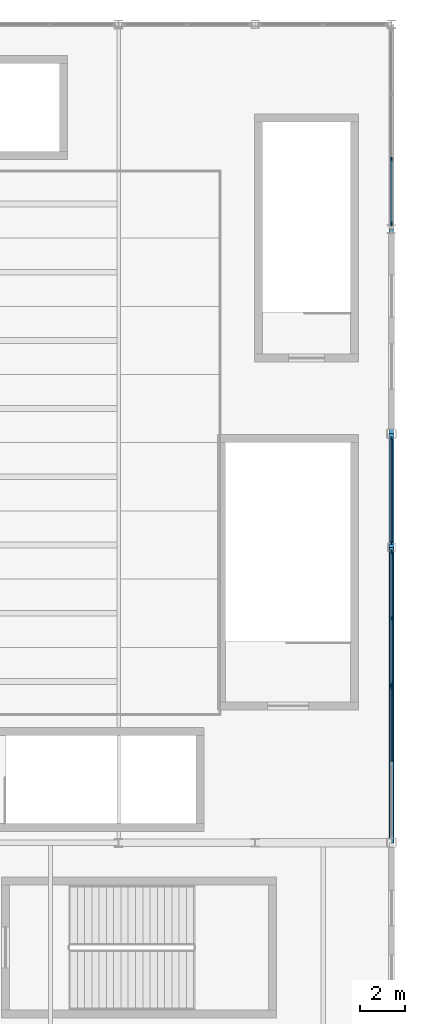
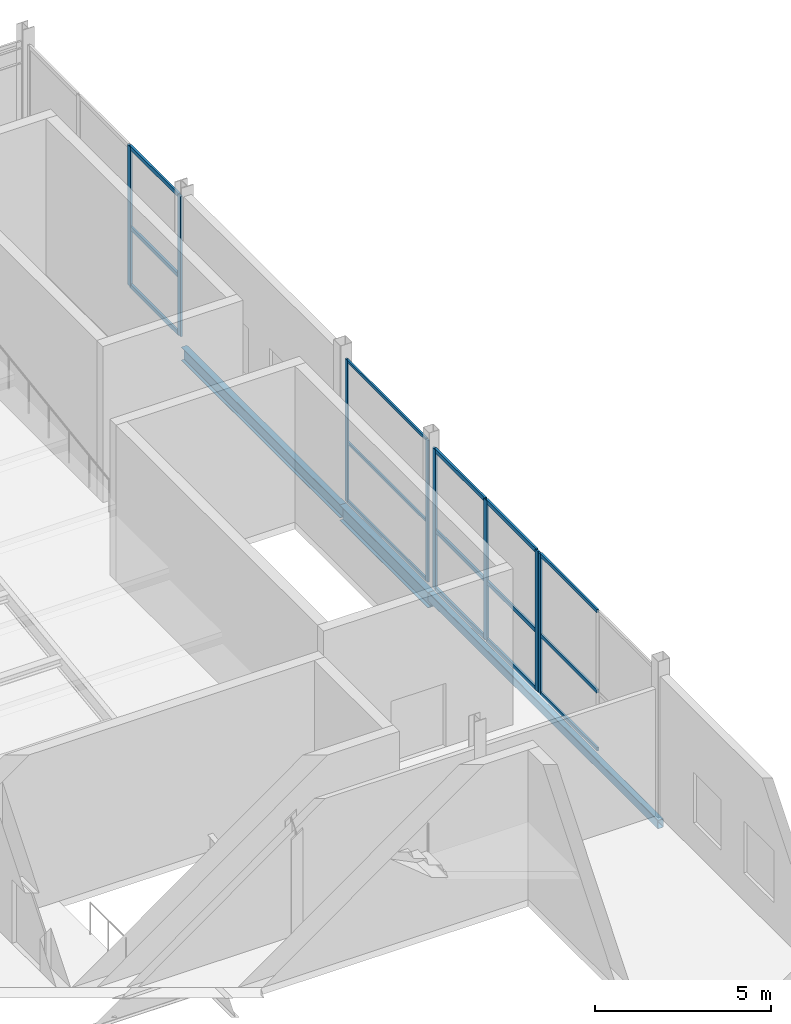
# One storey, part 65 of 119: 23 members, 3 beams, 4 elements without a shape of their own.
"""IFC4 building model written with IfcOpenShell, lengths in metres."""

from ifc_helpers import new_model, si_unit, direction, frame, origin, origin_2d, place, context, subcontext, project, spatial, rectangle, hollow_rectangle, i_section, extrude, material, layer, layer_set, material_profile, profile_set, type_object, element, aggregate, save


model = new_model("IFC4")

# Units and contexts
model_context = context("Model", 3, precision=1e-05, world=origin(), true_north=direction((0.0, 1.0)))
body_context = subcontext(model_context, "Body", "Model", "MODEL_VIEW")
ifc_project = project(units=[si_unit("LENGTHUNIT", "METRE"), si_unit("AREAUNIT", "SQUARE_METRE"), si_unit("VOLUMEUNIT", "CUBIC_METRE"), si_unit("PLANEANGLEUNIT", "RADIAN"), si_unit("MASSUNIT", "GRAM", prefix="KILO")], contexts=[model_context])

# Site, building, storey
site_placement = place(None, origin())
site = spatial("IfcSite", under=ifc_project, at=site_placement, CompositionType="ELEMENT")
building_placement = place(site_placement, origin())
building = spatial("IfcBuilding", under=site, at=building_placement, Name="Qamarlyn Nura Convention Centre", CompositionType="ELEMENT")
storey_placement = place(building_placement, frame((0.0, 0.0, 5.39990234375)))
storey = spatial("IfcBuildingStorey", under=building, at=storey_placement, Name="L01", CompositionType="ELEMENT", Elevation=5.39990234375)

# Beams
ifc_material_1 = material(Name="Steel ASTM A992", Category="steel")
ifc_material_profile_1 = material_profile(ifc_material_1, i_section(OverallWidth=0.193115234375, OverallDepth=0.466064453125, WebThickness=0.011474609375, FlangeThickness=0.01904296875, FilletRadius=0.012939453125, at=origin_2d()), Name="W460X97")
ifc_profile_set_1 = profile_set([ifc_material_profile_1], Name="Steel ASTM A992")
beam_type_1 = type_object("IfcBeamType", Name="BM-SPAN-460", PredefinedType="SPANDREL", material=ifc_profile_set_1)
beam_1_placement = place(storey_placement, frame((192.0, 108.0, -0.472900390625), z_axis=(0.0, 1.0, 0.0), x_axis=(-1.0, 0.0, 0.0)))
element("IfcBeam", 1, at=beam_1_placement, inside=storey, type_object=beam_type_1, Name="L01 girder 18 N-P", PredefinedType="SPANDREL", context=body_context, shape_type="SweptSolid", body=[
    extrude(i_section(OverallWidth=0.193115234375, OverallDepth=0.466064453125, WebThickness=0.011474609375, FlangeThickness=0.01904296875, FilletRadius=0.012939453125, at=origin_2d()), origin(), (0.0, 0.0, 1.0), 9.0),
])
ifc_material_profile_2 = material_profile(ifc_material_1, i_section(OverallWidth=0.2109375, OverallDepth=0.5390625, WebThickness=0.01171875, FlangeThickness=0.018798828125, FilletRadius=0.013916015625, at=origin_2d()), Name="W530X109")
ifc_profile_set_2 = profile_set([ifc_material_profile_2], Name="Steel ASTM A992")
beam_type_2 = type_object("IfcBeamType", Name="BM-SPAN-530", PredefinedType="SPANDREL", material=ifc_profile_set_2)
beam_2_placement = place(storey_placement, frame((192.0, 103.0, -0.509521484375), z_axis=(0.0, 1.0, 0.0), x_axis=(-1.0, 0.0, 0.0)))
element("IfcBeam", 2, at=beam_2_placement, inside=storey, type_object=beam_type_2, Name="L01 girder 18 M-N", PredefinedType="SPANDREL", context=body_context, shape_type="SweptSolid", body=[
    extrude(i_section(OverallWidth=0.2109375, OverallDepth=0.5390625, WebThickness=0.01171875, FlangeThickness=0.018798828125, FilletRadius=0.013916015625, at=origin_2d()), origin(), (0.0, 0.0, 1.0), 5.0),
])
ifc_material_2 = material(Name="Steel ASTM A500 Grade C", Category="steel")
ifc_material_profile_3 = material_profile(ifc_material_2, hollow_rectangle(XDim=0.199951171875, YDim=0.300048828125, WallThickness=0.012451171875, InnerFilletRadius=0.012451171875, OuterFilletRadius=0.02490234375, at=origin_2d()), Name="HSS300X200X12.5")
ifc_profile_set_3 = profile_set([ifc_material_profile_3], Name="Steel ASTM A500 Grade C")
beam_type_3 = type_object("IfcBeamType", Name="BM-SPAN-HSS", PredefinedType="SPANDREL", material=ifc_profile_set_3)
beam_3_placement = place(storey_placement, frame((192.0, 90.0, -0.389892578125), z_axis=(0.0, 1.0, 0.0), x_axis=(-1.0, 0.0, 0.0)))
element("IfcBeam", 3, at=beam_3_placement, inside=storey, type_object=beam_type_3, Name="L01 girder 18 L-M", PredefinedType="SPANDREL", context=body_context, shape_type="SweptSolid", body=[
    extrude(hollow_rectangle(XDim=0.199951171875, YDim=0.300048828125, WallThickness=0.012451171875, InnerFilletRadius=0.012451171875, OuterFilletRadius=0.02490234375, at=origin_2d()), origin(), (0.0, 0.0, 1.0), 13.0),
])

# Curtain wall, members
ifc_material_3 = material(Name="Double-silver low-E insulated glass", Category="glass")
ifc_layer_1 = layer(ifc_material_3, 0.179931640625, Name="CW-UNIT-74")
ifc_layer_set_1 = layer_set([ifc_layer_1], Name="Double-silver low-E insulated glass")
curtain_wall_type_1 = type_object("IfcCurtainWallType", Name="CW-UNIT-74", PredefinedType="NOTDEFINED", material=ifc_layer_set_1)
curtain_wall_1_placement = place(storey_placement, origin())
curtain_wall_1 = element("IfcCurtainWall", 4, at=curtain_wall_1_placement, inside=storey, type_object=curtain_wall_type_1, Name="L01 unitised curtain wall EAST-12-1", PredefinedType="NOTDEFINED")
ifc_material_4 = material(Name="Champagne-anodised marine aluminium", Category="aluminium")
ifc_material_profile_4 = material_profile(ifc_material_4, rectangle(XDim=0.06005859375, YDim=0.139892578125, at=origin_2d()), Name="ALU MULLION 60x140")
ifc_profile_set_4 = profile_set([ifc_material_profile_4], Name="Champagne-anodised marine aluminium")
member_type_1 = type_object("IfcMemberType", Name="CWM-140", PredefinedType="MULLION", material=ifc_profile_set_4)
member_1_placement = place(storey_placement, frame((192.0, 107.77001953125, 0.0), z_axis=(0.0, 0.0, 1.0), x_axis=(1.0, 0.0, 0.0)))
member_1 = element("IfcMember", 5, at=member_1_placement, type_object=member_type_1, Name="CW74 mullion 1", PredefinedType="MULLION", context=body_context, shape_type="SweptSolid", body=[
    extrude(rectangle(XDim=0.06005859375, YDim=0.139892578125, at=origin_2d()), origin(), (0.0, 0.0, 1.0), 4.91015625),
])
member_2_placement = place(storey_placement, frame((192.0, 103.205078125, 0.0), z_axis=(0.0, 0.0, 1.0), x_axis=(1.0, 0.0, 0.0)))
member_2 = element("IfcMember", 6, at=member_2_placement, type_object=member_type_1, Name="CW74 mullion 2", PredefinedType="MULLION", context=body_context, shape_type="SweptSolid", body=[
    extrude(rectangle(XDim=0.06005859375, YDim=0.139892578125, at=origin_2d()), origin(), (0.0, 0.0, 1.0), 4.91015625),
])

# Curtain wall, member
ifc_layer_2 = layer(ifc_material_3, 0.179931640625, Name="CW-UNIT-73")
ifc_layer_set_2 = layer_set([ifc_layer_2], Name="Double-silver low-E insulated glass")
curtain_wall_type_2 = type_object("IfcCurtainWallType", Name="CW-UNIT-73", PredefinedType="NOTDEFINED", material=ifc_layer_set_2)
curtain_wall_2_placement = place(storey_placement, origin())
curtain_wall_2 = element("IfcCurtainWall", 7, at=curtain_wall_2_placement, inside=storey, type_object=curtain_wall_type_2, Name="L01 unitised curtain wall EAST-11-1B", PredefinedType="NOTDEFINED")
ifc_material_profile_5 = material_profile(ifc_material_4, rectangle(XDim=0.06494140625, YDim=0.159912109375, at=origin_2d()), Name="ALU MULLION 65x160")
ifc_profile_set_5 = profile_set([ifc_material_profile_5], Name="Champagne-anodised marine aluminium")
member_type_2 = type_object("IfcMemberType", Name="CWM-160", PredefinedType="MULLION", material=ifc_profile_set_5)
member_3_placement = place(storey_placement, frame((192.0, 96.81884765625, 0.0), z_axis=(0.0, 0.0, 1.0), x_axis=(1.0, 0.0, 0.0)))
member_3 = element("IfcMember", 8, at=member_3_placement, type_object=member_type_2, Name="CW73 mullion 1", PredefinedType="MULLION", context=body_context, shape_type="SweptSolid", body=[
    extrude(rectangle(XDim=0.06494140625, YDim=0.159912109375, at=origin_2d()), origin(), (0.0, 0.0, 1.0), 4.84619140625),
])

# Curtain wall, members
ifc_layer_3 = layer(ifc_material_3, 0.179931640625, Name="CW-UNIT-72")
ifc_layer_set_3 = layer_set([ifc_layer_3], Name="Double-silver low-E insulated glass")
curtain_wall_type_3 = type_object("IfcCurtainWallType", Name="CW-UNIT-72", PredefinedType="NOTDEFINED", material=ifc_layer_set_3)
curtain_wall_3_placement = place(storey_placement, origin())
curtain_wall_3 = element("IfcCurtainWall", 9, at=curtain_wall_3_placement, inside=storey, type_object=curtain_wall_type_3, Name="L01 unitised curtain wall EAST-11-1A", PredefinedType="NOTDEFINED")
ifc_material_profile_6 = material_profile(ifc_material_4, rectangle(XDim=0.070068359375, YDim=0.179931640625, at=origin_2d()), Name="ALU MULLION 70x180")
ifc_profile_set_6 = profile_set([ifc_material_profile_6], Name="Champagne-anodised marine aluminium")
member_type_3 = type_object("IfcMemberType", Name="CWM-180", PredefinedType="MULLION", material=ifc_profile_set_6)
member_4_placement = place(storey_placement, frame((192.0, 102.7900390625, 0.0), z_axis=(0.0, 0.0, 1.0), x_axis=(1.0, 0.0, 0.0)))
member_4 = element("IfcMember", 10, at=member_4_placement, type_object=member_type_3, Name="CW72 mullion 1", PredefinedType="MULLION", context=body_context, shape_type="SweptSolid", body=[
    extrude(rectangle(XDim=0.070068359375, YDim=0.179931640625, at=origin_2d()), origin(), (0.0, 0.0, 1.0), 4.84619140625),
])
member_5_placement = place(storey_placement, frame((192.0, 99.878173828125, 0.0), z_axis=(0.0, 0.0, 1.0), x_axis=(1.0, 0.0, 0.0)))
member_5 = element("IfcMember", 11, at=member_5_placement, type_object=member_type_3, Name="CW72 mullion 2", PredefinedType="MULLION", context=body_context, shape_type="SweptSolid", body=[
    extrude(rectangle(XDim=0.070068359375, YDim=0.179931640625, at=origin_2d()), origin(), (0.0, 0.0, 1.0), 4.84619140625),
])
member_6_placement = place(storey_placement, frame((192.0, 96.96630859375, 0.0), z_axis=(0.0, 0.0, 1.0), x_axis=(1.0, 0.0, 0.0)))
member_6 = element("IfcMember", 12, at=member_6_placement, type_object=member_type_3, Name="CW72 mullion 3", PredefinedType="MULLION", context=body_context, shape_type="SweptSolid", body=[
    extrude(rectangle(XDim=0.070068359375, YDim=0.179931640625, at=origin_2d()), origin(), (0.0, 0.0, 1.0), 4.84619140625),
])

ifc_layer_4 = layer(ifc_material_3, 0.179931640625, Name="CW-UNIT-75")
ifc_layer_set_4 = layer_set([ifc_layer_4], Name="Double-silver low-E insulated glass")
curtain_wall_type_4 = type_object("IfcCurtainWallType", Name="CW-UNIT-75", PredefinedType="NOTDEFINED", material=ifc_layer_set_4)
curtain_wall_4_placement = place(storey_placement, origin())
curtain_wall_4 = element("IfcCurtainWall", 13, at=curtain_wall_4_placement, inside=storey, type_object=curtain_wall_type_4, Name="L01 unitised curtain wall EAST-14-1", PredefinedType="NOTDEFINED")
member_7_placement = place(storey_placement, frame((192.0, 120.069091796875, 0.0), z_axis=(0.0, 0.0, 1.0), x_axis=(1.0, 0.0, 0.0)))
member_7 = element("IfcMember", 14, at=member_7_placement, type_object=member_type_3, Name="CW75 mullion 3", PredefinedType="MULLION", context=body_context, shape_type="SweptSolid", body=[
    extrude(rectangle(XDim=0.070068359375, YDim=0.179931640625, at=origin_2d()), origin(), (0.0, 0.0, 1.0), 4.84619140625),
])
member_8_placement = place(storey_placement, frame((192.0, 117.2314453125, 0.0), z_axis=(0.0, 0.0, 1.0), x_axis=(1.0, 0.0, 0.0)))
member_8 = element("IfcMember", 15, at=member_8_placement, type_object=member_type_3, Name="CW75 mullion 4", PredefinedType="MULLION", context=body_context, shape_type="SweptSolid", body=[
    extrude(rectangle(XDim=0.070068359375, YDim=0.179931640625, at=origin_2d()), origin(), (0.0, 0.0, 1.0), 4.84619140625),
])

# Member
ifc_material_profile_7 = material_profile(ifc_material_4, rectangle(XDim=0.06005859375, YDim=0.10009765625, at=origin_2d()), Name="ALU TRANSOM 60x100")
ifc_profile_set_7 = profile_set([ifc_material_profile_7], Name="Champagne-anodised marine aluminium")
member_type_4 = type_object("IfcMemberType", Name="CWT-100", PredefinedType="USERDEFINED", material=ifc_profile_set_7)
member_9_placement = place(storey_placement, frame((192.0, 107.739990234375, 0.030029296875), z_axis=(0.0, -1.0, 0.0), x_axis=(1.0, 0.0, 0.0)))
member_9 = element("IfcMember", 16, at=member_9_placement, type_object=member_type_4, Name="CW74 transom 1.1", ObjectType="TRANSOM", PredefinedType="USERDEFINED", context=body_context, shape_type="SweptSolid", body=[
    extrude(rectangle(XDim=0.06005859375, YDim=0.10009765625, at=origin_2d()), origin(), (0.0, 0.0, 1.0), 4.5048828125),
])

member_10_placement = place(storey_placement, frame((192.0, 107.739990234375, 2.06201171875), z_axis=(0.0, -1.0, 0.0), x_axis=(1.0, 0.0, 0.0)))
member_10 = element("IfcMember", 17, at=member_10_placement, type_object=member_type_4, Name="CW74 transom 1.2", ObjectType="TRANSOM", PredefinedType="USERDEFINED", context=body_context, shape_type="SweptSolid", body=[
    extrude(rectangle(XDim=0.06005859375, YDim=0.10009765625, at=origin_2d()), origin(), (0.0, 0.0, 1.0), 4.5048828125),
])

member_11_placement = place(storey_placement, frame((192.0, 107.739990234375, 4.880126953125), z_axis=(0.0, -1.0, 0.0), x_axis=(1.0, 0.0, 0.0)))
member_11 = element("IfcMember", 18, at=member_11_placement, type_object=member_type_4, Name="CW74 transom 1.3", ObjectType="TRANSOM", PredefinedType="USERDEFINED", context=body_context, shape_type="SweptSolid", body=[
    extrude(rectangle(XDim=0.06005859375, YDim=0.10009765625, at=origin_2d()), origin(), (0.0, 0.0, 1.0), 4.5048828125),
])

aggregate(curtain_wall_1, [member_1, member_2, member_9, member_10, member_11])

ifc_material_profile_8 = material_profile(ifc_material_4, rectangle(XDim=0.06494140625, YDim=0.1201171875, at=origin_2d()), Name="ALU TRANSOM 65x120")
ifc_profile_set_8 = profile_set([ifc_material_profile_8], Name="Champagne-anodised marine aluminium")
member_type_5 = type_object("IfcMemberType", Name="CWT-120", PredefinedType="USERDEFINED", material=ifc_profile_set_8)
member_12_placement = place(storey_placement, frame((192.0, 96.786376953125, 0.03271484375), z_axis=(0.0, -1.0, 0.0), x_axis=(1.0, 0.0, 0.0)))
member_12 = element("IfcMember", 19, at=member_12_placement, type_object=member_type_5, Name="CW73 transom 1.1", ObjectType="TRANSOM", PredefinedType="USERDEFINED", context=body_context, shape_type="SweptSolid", body=[
    extrude(rectangle(XDim=0.06494140625, YDim=0.1201171875, at=origin_2d()), origin(), (0.0, 0.0, 1.0), 3.228271484375),
])

member_13_placement = place(storey_placement, frame((192.0, 96.786376953125, 2.03515625), z_axis=(0.0, -1.0, 0.0), x_axis=(1.0, 0.0, 0.0)))
member_13 = element("IfcMember", 20, at=member_13_placement, type_object=member_type_5, Name="CW73 transom 1.2", ObjectType="TRANSOM", PredefinedType="USERDEFINED", context=body_context, shape_type="SweptSolid", body=[
    extrude(rectangle(XDim=0.06494140625, YDim=0.1201171875, at=origin_2d()), origin(), (0.0, 0.0, 1.0), 3.228271484375),
])

member_14_placement = place(storey_placement, frame((192.0, 96.786376953125, 4.8134765625), z_axis=(0.0, -1.0, 0.0), x_axis=(1.0, 0.0, 0.0)))
member_14 = element("IfcMember", 21, at=member_14_placement, type_object=member_type_5, Name="CW73 transom 1.3", ObjectType="TRANSOM", PredefinedType="USERDEFINED", context=body_context, shape_type="SweptSolid", body=[
    extrude(rectangle(XDim=0.06494140625, YDim=0.1201171875, at=origin_2d()), origin(), (0.0, 0.0, 1.0), 3.228271484375),
])

aggregate(curtain_wall_2, [member_3, member_12, member_13, member_14])

ifc_material_profile_9 = material_profile(ifc_material_4, rectangle(XDim=0.070068359375, YDim=0.139892578125, at=origin_2d()), Name="ALU TRANSOM 70x140")
ifc_profile_set_9 = profile_set([ifc_material_profile_9], Name="Champagne-anodised marine aluminium")
member_type_6 = type_object("IfcMemberType", Name="CWT-140", PredefinedType="USERDEFINED", material=ifc_profile_set_9)
member_15_placement = place(storey_placement, frame((192.0, 102.7548828125, 0.03515625), z_axis=(0.0, -1.0, 0.0), x_axis=(1.0, 0.0, 0.0)))
member_15 = element("IfcMember", 22, at=member_15_placement, type_object=member_type_6, Name="CW72 transom 1.1", ObjectType="TRANSOM", PredefinedType="USERDEFINED", context=body_context, shape_type="SweptSolid", body=[
    extrude(rectangle(XDim=0.070068359375, YDim=0.139892578125, at=origin_2d()), origin(), (0.0, 0.0, 1.0), 2.841796875),
])

member_16_placement = place(storey_placement, frame((192.0, 102.7548828125, 2.03515625), z_axis=(0.0, -1.0, 0.0), x_axis=(1.0, 0.0, 0.0)))
member_16 = element("IfcMember", 23, at=member_16_placement, type_object=member_type_6, Name="CW72 transom 1.2", ObjectType="TRANSOM", PredefinedType="USERDEFINED", context=body_context, shape_type="SweptSolid", body=[
    extrude(rectangle(XDim=0.070068359375, YDim=0.139892578125, at=origin_2d()), origin(), (0.0, 0.0, 1.0), 2.841796875),
])

member_17_placement = place(storey_placement, frame((192.0, 102.7548828125, 4.81103515625), z_axis=(0.0, -1.0, 0.0), x_axis=(1.0, 0.0, 0.0)))
member_17 = element("IfcMember", 24, at=member_17_placement, type_object=member_type_6, Name="CW72 transom 1.3", ObjectType="TRANSOM", PredefinedType="USERDEFINED", context=body_context, shape_type="SweptSolid", body=[
    extrude(rectangle(XDim=0.070068359375, YDim=0.139892578125, at=origin_2d()), origin(), (0.0, 0.0, 1.0), 2.841796875),
])

member_18_placement = place(storey_placement, frame((192.0, 99.84326171875, 0.03515625), z_axis=(0.0, -1.0, 0.0), x_axis=(1.0, 0.0, 0.0)))
member_18 = element("IfcMember", 25, at=member_18_placement, type_object=member_type_6, Name="CW72 transom 2.1", ObjectType="TRANSOM", PredefinedType="USERDEFINED", context=body_context, shape_type="SweptSolid", body=[
    extrude(rectangle(XDim=0.070068359375, YDim=0.139892578125, at=origin_2d()), origin(), (0.0, 0.0, 1.0), 2.842041015625),
])

member_19_placement = place(storey_placement, frame((192.0, 99.84326171875, 2.03515625), z_axis=(0.0, -1.0, 0.0), x_axis=(1.0, 0.0, 0.0)))
member_19 = element("IfcMember", 26, at=member_19_placement, type_object=member_type_6, Name="CW72 transom 2.2", ObjectType="TRANSOM", PredefinedType="USERDEFINED", context=body_context, shape_type="SweptSolid", body=[
    extrude(rectangle(XDim=0.070068359375, YDim=0.139892578125, at=origin_2d()), origin(), (0.0, 0.0, 1.0), 2.842041015625),
])

member_20_placement = place(storey_placement, frame((192.0, 99.84326171875, 4.81103515625), z_axis=(0.0, -1.0, 0.0), x_axis=(1.0, 0.0, 0.0)))
member_20 = element("IfcMember", 27, at=member_20_placement, type_object=member_type_6, Name="CW72 transom 2.3", ObjectType="TRANSOM", PredefinedType="USERDEFINED", context=body_context, shape_type="SweptSolid", body=[
    extrude(rectangle(XDim=0.070068359375, YDim=0.139892578125, at=origin_2d()), origin(), (0.0, 0.0, 1.0), 2.842041015625),
])

aggregate(curtain_wall_3, [member_4, member_5, member_6, member_15, member_16, member_17, member_18, member_19, member_20])

member_21_placement = place(storey_placement, frame((192.0, 120.033935546875, 0.03515625), z_axis=(0.0, -1.0, 0.0), x_axis=(1.0, 0.0, 0.0)))
member_21 = element("IfcMember", 28, at=member_21_placement, type_object=member_type_6, Name="CW75 transom 3.1", ObjectType="TRANSOM", PredefinedType="USERDEFINED", context=body_context, shape_type="SweptSolid", body=[
    extrude(rectangle(XDim=0.070068359375, YDim=0.139892578125, at=origin_2d()), origin(), (0.0, 0.0, 1.0), 2.767333984375),
])

member_22_placement = place(storey_placement, frame((192.0, 120.033935546875, 2.03515625), z_axis=(0.0, -1.0, 0.0), x_axis=(1.0, 0.0, 0.0)))
member_22 = element("IfcMember", 29, at=member_22_placement, type_object=member_type_6, Name="CW75 transom 3.2", ObjectType="TRANSOM", PredefinedType="USERDEFINED", context=body_context, shape_type="SweptSolid", body=[
    extrude(rectangle(XDim=0.070068359375, YDim=0.139892578125, at=origin_2d()), origin(), (0.0, 0.0, 1.0), 2.767333984375),
])

member_23_placement = place(storey_placement, frame((192.0, 120.033935546875, 4.81103515625), z_axis=(0.0, -1.0, 0.0), x_axis=(1.0, 0.0, 0.0)))
member_23 = element("IfcMember", 30, at=member_23_placement, type_object=member_type_6, Name="CW75 transom 3.3", ObjectType="TRANSOM", PredefinedType="USERDEFINED", context=body_context, shape_type="SweptSolid", body=[
    extrude(rectangle(XDim=0.070068359375, YDim=0.139892578125, at=origin_2d()), origin(), (0.0, 0.0, 1.0), 2.767333984375),
])

aggregate(curtain_wall_4, [member_7, member_8, member_21, member_22, member_23])

save(model, "model.ifc")
